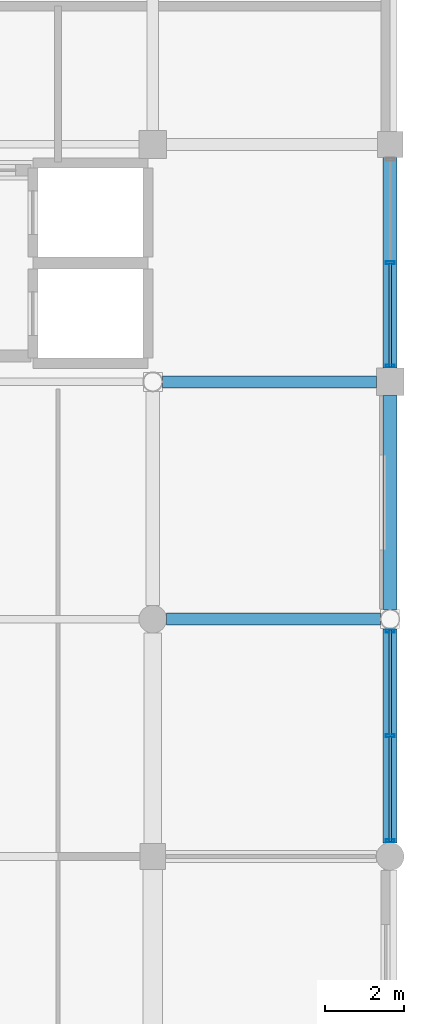
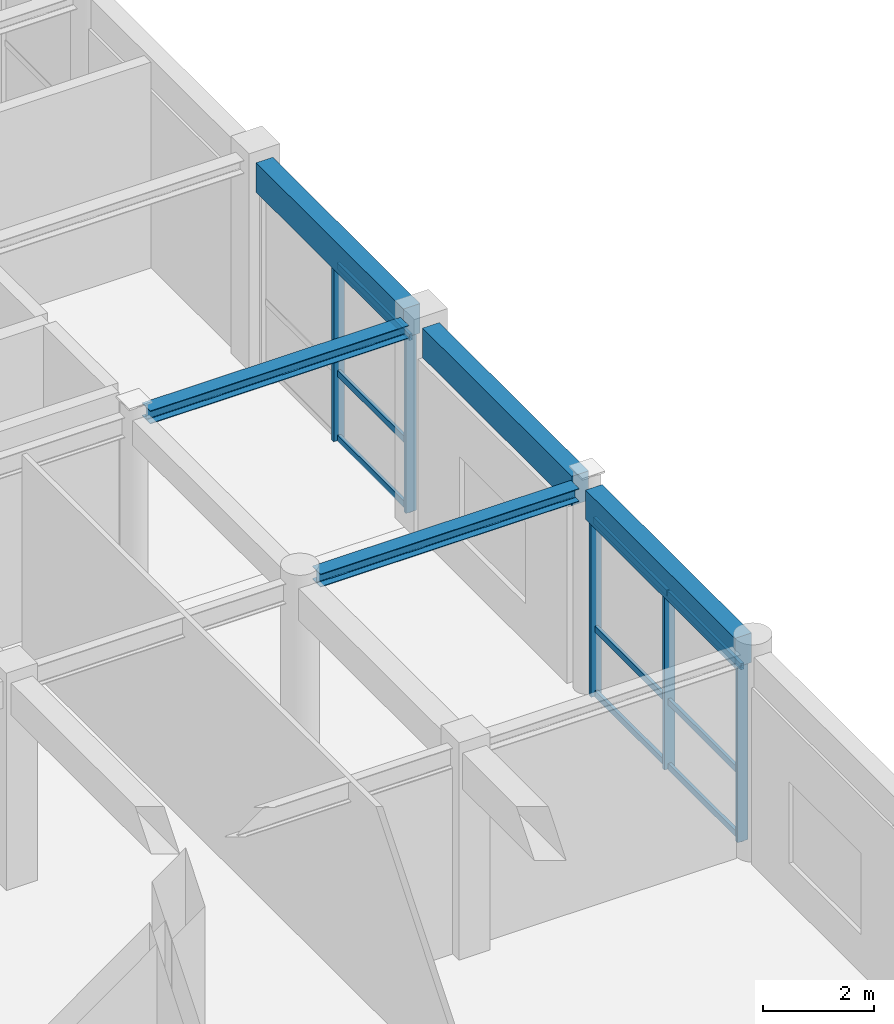
# One storey, part 78 of 112: 14 members, 5 beams, 2 elements without a shape of their own.
"""IFC4 building model written with IfcOpenShell, lengths in metres."""

from ifc_helpers import new_model, si_unit, direction, frame, origin, origin_2d, place, context, subcontext, project, spatial, rectangle, hollow_rectangle, i_section, extrude, material, material_profile, profile_set, type_object, element, aggregate, save


model = new_model("IFC4")

# Units and contexts
model_context = context("Model", 3, precision=1e-05, world=origin(), true_north=direction((0.0, 1.0)))
body_context = subcontext(model_context, "Body", "Model", "MODEL_VIEW")
ifc_project = project(units=[si_unit("LENGTHUNIT", "METRE"), si_unit("AREAUNIT", "SQUARE_METRE"), si_unit("VOLUMEUNIT", "CUBIC_METRE"), si_unit("PLANEANGLEUNIT", "RADIAN"), si_unit("MASSUNIT", "GRAM", prefix="KILO"), si_unit("THERMODYNAMICTEMPERATUREUNIT", "KELVIN"), si_unit("POWERUNIT", "WATT")], contexts=[model_context])

# Site, building, storey
site_placement = place(None, origin())
site = spatial("IfcSite", under=ifc_project, at=site_placement, CompositionType="ELEMENT")
building_placement = place(site_placement, origin())
building = spatial("IfcBuilding", under=site, at=building_placement, Name="Phaisarnlok Congress Hotel", CompositionType="ELEMENT")
storey_placement = place(building_placement, frame((0.0, 0.0, 19.800048828125)))
storey = spatial("IfcBuildingStorey", under=building, at=storey_placement, Name="L04", CompositionType="ELEMENT", Elevation=19.800048828125)

# Beams
ifc_material_1 = material(Name="Steel S355", Category="steel")
ifc_material_profile_1 = material_profile(ifc_material_1, i_section(OverallWidth=0.300048828125, OverallDepth=0.2900390625, WebThickness=0.008544921875, FlangeThickness=0.013916015625, FilletRadius=0.027099609375, at=origin_2d()), Name="HEA 300")
ifc_profile_set_1 = profile_set([ifc_material_profile_1], Name="Steel S355")
beam_type_1 = type_object("IfcBeamType", Name="BM-STL-HEA300", PredefinedType="BEAM", material=ifc_profile_set_1)
for number, where, z_axis, x_axis, name in (
    (1, (174.344970703125, 102.0, 4.405029296875), (1.0, 0.0, 0.0), (0.0, 1.0, 0.0), "Beam SB-05"),
    (2, (174.2490234375, 108.0, 4.405029296875), (1.0, 0.0, 0.0), (0.0, 1.0, 0.0), "Beam SB-05"),
):
    element("IfcBeam", number, at=place(storey_placement, frame(where, z_axis=z_axis, x_axis=x_axis)), inside=storey, type_object=beam_type_1, Name=name, PredefinedType="BEAM", context=body_context, shape_type="SweptSolid", body=[
        extrude(i_section(OverallWidth=0.300048828125, OverallDepth=0.2900390625, WebThickness=0.008544921875, FlangeThickness=0.013916015625, FilletRadius=0.027099609375, at=origin_2d()), origin(), (0.0, 0.0, 1.0), 5.406005859375),
    ])

# Curtain wall, members
ifc_material_2 = material(Name="Thermally Broken Unitised Aluminium & Low-E Glazing", Category="aluminium")
curtain_wall_type_1 = type_object("IfcCurtainWallType", Name="CW-UNIT-34", PredefinedType="NOTDEFINED", material=ifc_material_2)
curtain_wall_1_placement = place(storey_placement, origin())
curtain_wall_1 = element("IfcCurtainWall", 3, at=curtain_wall_1_placement, inside=storey, type_object=curtain_wall_type_1, Name="Unitised curtain wall CW-34 (L04)", PredefinedType="NOTDEFINED")
ifc_material_3 = material(Name="Anodised Aluminium Alloy 6063-T6", Category="aluminium")
ifc_material_profile_2 = material_profile(ifc_material_3, hollow_rectangle(XDim=0.074951171875, YDim=0.219970703125, WallThickness=0.0048828125, at=origin_2d()), Name="ALU-M 75x220x5")
ifc_profile_set_2 = profile_set([ifc_material_profile_2], Name="Anodised Aluminium Alloy 6063-T6")
member_type_1 = type_object("IfcMemberType", Name="CWM-220", PredefinedType="MULLION", material=ifc_profile_set_2)
member_1_placement = place(storey_placement, frame((180.0, 96.39990234375, 0.0), z_axis=(0.0, 0.0, 1.0), x_axis=(0.0, 1.0, 0.0)))
member_1 = element("IfcMember", 4, at=member_1_placement, type_object=member_type_1, Name="Curtain wall mullion CWM-02", PredefinedType="MULLION", context=body_context, shape_type="SweptSolid", body=[
    extrude(hollow_rectangle(XDim=0.074951171875, YDim=0.219970703125, WallThickness=0.0048828125, at=origin_2d()), origin(), (0.0, 0.0, 1.0), 3.89990234375),
])
member_2_placement = place(storey_placement, frame((180.0, 99.048095703125, 0.0), z_axis=(0.0, 0.0, 1.0), x_axis=(0.0, 1.0, 0.0)))
member_2 = element("IfcMember", 5, at=member_2_placement, type_object=member_type_1, Name="Curtain wall mullion CWM-02", PredefinedType="MULLION", context=body_context, shape_type="SweptSolid", body=[
    extrude(hollow_rectangle(XDim=0.074951171875, YDim=0.219970703125, WallThickness=0.0048828125, at=origin_2d()), origin(), (0.0, 0.0, 1.0), 3.89990234375),
])
member_3_placement = place(storey_placement, frame((180.0, 101.696044921875, 0.0), z_axis=(0.0, 0.0, 1.0), x_axis=(0.0, 1.0, 0.0)))
member_3 = element("IfcMember", 6, at=member_3_placement, type_object=member_type_1, Name="Curtain wall mullion CWM-02", PredefinedType="MULLION", context=body_context, shape_type="SweptSolid", body=[
    extrude(hollow_rectangle(XDim=0.074951171875, YDim=0.219970703125, WallThickness=0.0048828125, at=origin_2d()), origin(), (0.0, 0.0, 1.0), 3.89990234375),
])

curtain_wall_type_2 = type_object("IfcCurtainWallType", Name="CW-UNIT-33", PredefinedType="NOTDEFINED", material=ifc_material_2)
curtain_wall_2_placement = place(storey_placement, origin())
curtain_wall_2 = element("IfcCurtainWall", 7, at=curtain_wall_2_placement, inside=storey, type_object=curtain_wall_type_2, Name="Unitised curtain wall CW-33 (L04)", PredefinedType="NOTDEFINED")
member_4_placement = place(storey_placement, frame((180.0, 108.39990234375, 0.0), z_axis=(0.0, 0.0, 1.0), x_axis=(0.0, 1.0, 0.0)))
member_4 = element("IfcMember", 8, at=member_4_placement, type_object=member_type_1, Name="Curtain wall mullion CWM-02", PredefinedType="MULLION", context=body_context, shape_type="SweptSolid", body=[
    extrude(hollow_rectangle(XDim=0.074951171875, YDim=0.219970703125, WallThickness=0.0048828125, at=origin_2d()), origin(), (0.0, 0.0, 1.0), 3.89990234375),
])
member_5_placement = place(storey_placement, frame((180.0, 111.012451171875, 0.0), z_axis=(0.0, 0.0, 1.0), x_axis=(0.0, 1.0, 0.0)))
member_5 = element("IfcMember", 9, at=member_5_placement, type_object=member_type_1, Name="Curtain wall mullion CWM-02", PredefinedType="MULLION", context=body_context, shape_type="SweptSolid", body=[
    extrude(hollow_rectangle(XDim=0.074951171875, YDim=0.219970703125, WallThickness=0.0048828125, at=origin_2d()), origin(), (0.0, 0.0, 1.0), 3.89990234375),
])

# Member
ifc_material_profile_3 = material_profile(ifc_material_3, hollow_rectangle(XDim=0.06494140625, YDim=0.139892578125, WallThickness=0.00390625, at=origin_2d()), Name="ALU-T 65x140x4")
ifc_profile_set_3 = profile_set([ifc_material_profile_3], Name="Anodised Aluminium Alloy 6063-T6")
member_type_2 = type_object("IfcMemberType", Name="CWT-150", PredefinedType="USERDEFINED", material=ifc_profile_set_3)
member_6_placement = place(storey_placement, frame((180.0, 96.375, 0.050048828125), z_axis=(0.0, 1.0, 0.0), x_axis=(-1.0, 0.0, 0.0)))
member_6 = element("IfcMember", 10, at=member_6_placement, type_object=member_type_2, Name="Curtain wall transom CWT-01", ObjectType="TRANSOM", PredefinedType="USERDEFINED", context=body_context, shape_type="SweptSolid", body=[
    extrude(hollow_rectangle(XDim=0.06494140625, YDim=0.139892578125, WallThickness=0.00390625, at=origin_2d()), origin(), (0.0, 0.0, 1.0), 2.657958984375),
])

member_7_placement = place(storey_placement, frame((180.0, 96.375, 1.48193359375), z_axis=(0.0, 1.0, 0.0), x_axis=(-1.0, 0.0, 0.0)))
member_7 = element("IfcMember", 11, at=member_7_placement, type_object=member_type_2, Name="Curtain wall transom CWT-01", ObjectType="TRANSOM", PredefinedType="USERDEFINED", context=body_context, shape_type="SweptSolid", body=[
    extrude(hollow_rectangle(XDim=0.06494140625, YDim=0.139892578125, WallThickness=0.00390625, at=origin_2d()), origin(), (0.0, 0.0, 1.0), 2.657958984375),
])

member_8_placement = place(storey_placement, frame((180.0, 96.375, 3.849853515625), z_axis=(0.0, 1.0, 0.0), x_axis=(-1.0, 0.0, 0.0)))
member_8 = element("IfcMember", 12, at=member_8_placement, type_object=member_type_2, Name="Curtain wall transom CWT-01", ObjectType="TRANSOM", PredefinedType="USERDEFINED", context=body_context, shape_type="SweptSolid", body=[
    extrude(hollow_rectangle(XDim=0.06494140625, YDim=0.139892578125, WallThickness=0.00390625, at=origin_2d()), origin(), (0.0, 0.0, 1.0), 2.657958984375),
])

member_9_placement = place(storey_placement, frame((180.0, 99.06298828125, 0.050048828125), z_axis=(0.0, 1.0, 0.0), x_axis=(-1.0, 0.0, 0.0)))
member_9 = element("IfcMember", 13, at=member_9_placement, type_object=member_type_2, Name="Curtain wall transom CWT-01", ObjectType="TRANSOM", PredefinedType="USERDEFINED", context=body_context, shape_type="SweptSolid", body=[
    extrude(hollow_rectangle(XDim=0.06494140625, YDim=0.139892578125, WallThickness=0.00390625, at=origin_2d()), origin(), (0.0, 0.0, 1.0), 2.657958984375),
])

member_10_placement = place(storey_placement, frame((180.0, 99.06298828125, 1.48193359375), z_axis=(0.0, 1.0, 0.0), x_axis=(-1.0, 0.0, 0.0)))
member_10 = element("IfcMember", 14, at=member_10_placement, type_object=member_type_2, Name="Curtain wall transom CWT-01", ObjectType="TRANSOM", PredefinedType="USERDEFINED", context=body_context, shape_type="SweptSolid", body=[
    extrude(hollow_rectangle(XDim=0.06494140625, YDim=0.139892578125, WallThickness=0.00390625, at=origin_2d()), origin(), (0.0, 0.0, 1.0), 2.657958984375),
])

member_11_placement = place(storey_placement, frame((180.0, 99.06298828125, 3.849853515625), z_axis=(0.0, 1.0, 0.0), x_axis=(-1.0, 0.0, 0.0)))
member_11 = element("IfcMember", 15, at=member_11_placement, type_object=member_type_2, Name="Curtain wall transom CWT-01", ObjectType="TRANSOM", PredefinedType="USERDEFINED", context=body_context, shape_type="SweptSolid", body=[
    extrude(hollow_rectangle(XDim=0.06494140625, YDim=0.139892578125, WallThickness=0.00390625, at=origin_2d()), origin(), (0.0, 0.0, 1.0), 2.657958984375),
])

aggregate(curtain_wall_1, [member_1, member_2, member_3, member_6, member_7, member_8, member_9, member_10, member_11])

member_12_placement = place(storey_placement, frame((180.0, 108.375, 0.050048828125), z_axis=(0.0, 1.0, 0.0), x_axis=(-1.0, 0.0, 0.0)))
member_12 = element("IfcMember", 16, at=member_12_placement, type_object=member_type_2, Name="Curtain wall transom CWT-01", ObjectType="TRANSOM", PredefinedType="USERDEFINED", context=body_context, shape_type="SweptSolid", body=[
    extrude(hollow_rectangle(XDim=0.06494140625, YDim=0.139892578125, WallThickness=0.00390625, at=origin_2d()), origin(), (0.0, 0.0, 1.0), 2.62255859375),
])

member_13_placement = place(storey_placement, frame((180.0, 108.375, 1.48193359375), z_axis=(0.0, 1.0, 0.0), x_axis=(-1.0, 0.0, 0.0)))
member_13 = element("IfcMember", 17, at=member_13_placement, type_object=member_type_2, Name="Curtain wall transom CWT-01", ObjectType="TRANSOM", PredefinedType="USERDEFINED", context=body_context, shape_type="SweptSolid", body=[
    extrude(hollow_rectangle(XDim=0.06494140625, YDim=0.139892578125, WallThickness=0.00390625, at=origin_2d()), origin(), (0.0, 0.0, 1.0), 2.62255859375),
])

member_14_placement = place(storey_placement, frame((180.0, 108.375, 3.849853515625), z_axis=(0.0, 1.0, 0.0), x_axis=(-1.0, 0.0, 0.0)))
member_14 = element("IfcMember", 18, at=member_14_placement, type_object=member_type_2, Name="Curtain wall transom CWT-01", ObjectType="TRANSOM", PredefinedType="USERDEFINED", context=body_context, shape_type="SweptSolid", body=[
    extrude(hollow_rectangle(XDim=0.06494140625, YDim=0.139892578125, WallThickness=0.00390625, at=origin_2d()), origin(), (0.0, 0.0, 1.0), 2.62255859375),
])

aggregate(curtain_wall_2, [member_4, member_5, member_12, member_13, member_14])

# Beams
ifc_material_4 = material(Name="Concrete C40/50", Category="concrete")
ifc_material_profile_4 = material_profile(ifc_material_4, rectangle(XDim=0.35009765625, YDim=0.64990234375, at=origin_2d()), Name="RC 350x650")
ifc_profile_set_4 = profile_set([ifc_material_profile_4], Name="Concrete C40/50")
beam_type_2 = type_object("IfcBeamType", Name="SP-RC-350x650", PredefinedType="SPANDREL", material=ifc_profile_set_4)
for number, where, z_axis, x_axis, name in (
    (19, (180.0, 96.344970703125, 4.224853515625), (0.0, 1.0, 0.0), (-1.0, 0.0, 0.0), "Beam SP-01"),
    (20, (180.0, 102.2490234375, 4.224853515625), (0.0, 1.0, 0.0), (-1.0, 0.0, 0.0), "Beam SP-01"),
):
    element("IfcBeam", number, at=place(storey_placement, frame(where, z_axis=z_axis, x_axis=x_axis)), inside=storey, type_object=beam_type_2, Name=name, PredefinedType="SPANDREL", context=body_context, shape_type="SweptSolid", body=[
        extrude(rectangle(XDim=0.35009765625, YDim=0.64990234375, at=origin_2d()), origin(), (0.0, 0.0, 1.0), 5.406005859375),
    ])
beam_placement = place(storey_placement, frame((180.0, 108.344970703125, 4.224853515625), z_axis=(0.0, 1.0, 0.0), x_axis=(-1.0, 0.0, 0.0)))
element("IfcBeam", 21, at=beam_placement, inside=storey, type_object=beam_type_2, Name="Beam SP-01", PredefinedType="SPANDREL", context=body_context, shape_type="SweptSolid", body=[
    extrude(rectangle(XDim=0.35009765625, YDim=0.64990234375, at=origin_2d()), origin(), (0.0, 0.0, 1.0), 5.3349609375),
])

save(model, "model.ifc")
